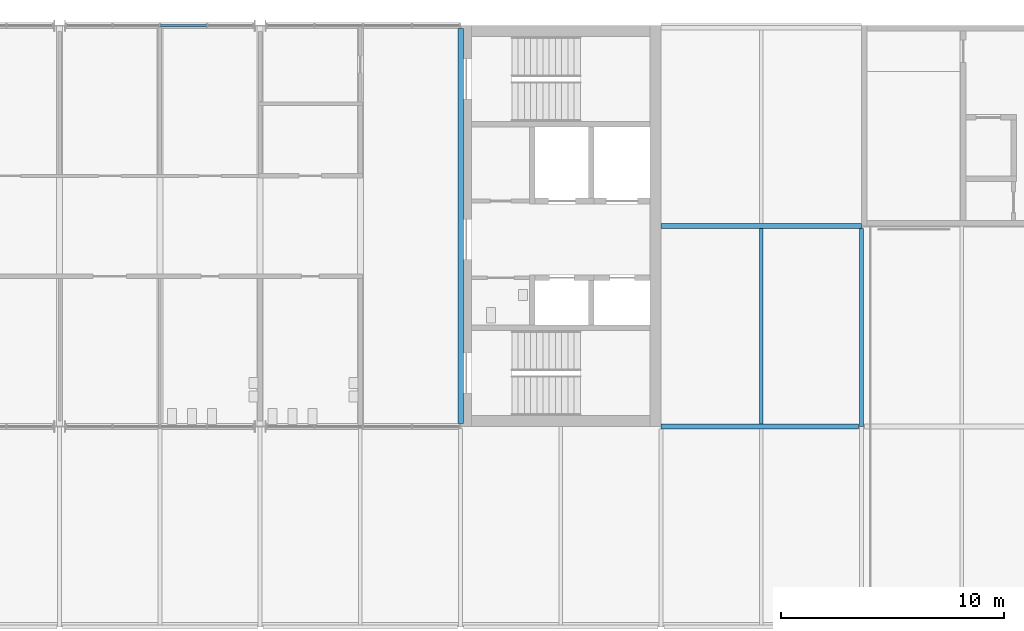
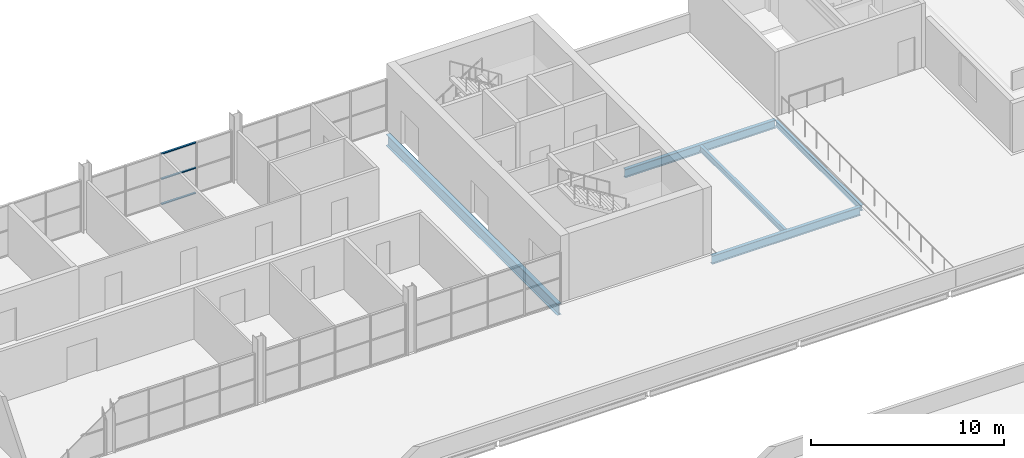
# One storey, part 17 of 50: 5 beams, 3 members, 1 element without a shape of its own.
"""IFC4 building model written with IfcOpenShell, lengths in metres."""

import ifcopenshell
import ifcopenshell.guid

model = None  # the IFC model being written
_history = None  # IfcOwnerHistory: only IFC2X3 demands one
_inside = {}  # id of a spatial element -> (the spatial element, [elements in it])
_under = {}  # id of a project, library or spatial element -> (it, [spatial elements below it])
_declared = {}  # id of a project -> (the project, [libraries it declares])
_typed = {}  # id of a type object -> (the type object, [elements of that type])
_made_of = {}  # id of a material, layer set ... -> (it, [elements and type objects made of it])


def new_model(schema):
    """Start an empty IFC model of exactly this schema.

    Asked for "IFC4X3", IfcOpenShell would pick the latest addendum, in which some entities
    have other attributes; the version numbers below select the first issue.
    IFC2X3 requires an IfcOwnerHistory on every rooted entity: one is made here for all.
    """
    global model, _history
    if schema == "IFC4X3":
        model = ifcopenshell.file(schema_version=(4, 3, 0, 0))
    else:
        model = ifcopenshell.file(schema=schema)
    _inside.clear()
    _under.clear()
    _declared.clear()
    _typed.clear()
    _made_of.clear()
    _history = None
    if model.schema == "IFC2X3":
        org = make("IfcOrganization", Name="unknown")
        user = make(
            "IfcPersonAndOrganization",
            ThePerson=make("IfcPerson", FamilyName="unknown"),
            TheOrganization=org,
        )
        app = make(
            "IfcApplication",
            ApplicationDeveloper=org,
            Version="unknown",
            ApplicationFullName="unknown",
            ApplicationIdentifier="unknown",
        )
        _history = make(
            "IfcOwnerHistory",
            OwningUser=user,
            OwningApplication=app,
            ChangeAction="ADDED",
            CreationDate=0,
        )
    return model


def make(cls, **values):
    """One entity of the class cls with the attributes given. An attribute that is None is left unset."""
    return model.create_entity(
        cls, **{name: value for name, value in values.items() if value is not None}
    )


def rooted(cls, **values):
    """An entity with a GlobalId (a new one), such as an element, a storey or a relation."""
    return make(cls, GlobalId=ifcopenshell.guid.new(), OwnerHistory=_history, **values)


def si_unit(unit_type, name, prefix=None):
    """IfcSIUnit, for example si_unit("LENGTHUNIT", "METRE", prefix="MILLI")."""
    return make("IfcSIUnit", UnitType=unit_type, Prefix=prefix, Name=name)


def assignment(units):
    """IfcUnitAssignment: the units of a project."""
    return None if units is None else make("IfcUnitAssignment", Units=units)


def point(xyz):
    """IfcCartesianPoint."""
    return None if xyz is None else make("IfcCartesianPoint", Coordinates=xyz)


def direction(xyz):
    """IfcDirection."""
    return None if xyz is None else make("IfcDirection", DirectionRatios=xyz)


def frame(location, z_axis=None, x_axis=None):
    """IfcAxis2Placement3D, a coordinate frame: its origin and axes. An axis left out is left unset."""
    return make(
        "IfcAxis2Placement3D",
        Location=point(location),
        Axis=direction(z_axis),
        RefDirection=direction(x_axis),
    )


def frame_2d(location, x_axis=None):
    """IfcAxis2Placement2D, a coordinate frame in the plane: its origin and x axis."""
    return make(
        "IfcAxis2Placement2D", Location=point(location), RefDirection=direction(x_axis)
    )


def origin():
    """The frame at (0, 0, 0) with its axes left unset."""
    return frame((0.0, 0.0, 0.0))


def origin_2d():
    """The frame at (0, 0) in the plane with its x axis left unset."""
    return frame_2d((0.0, 0.0))


def place(relative_to, where):
    """IfcLocalPlacement: puts the frame where relative to a parent placement (None: the world)."""
    return make(
        "IfcLocalPlacement", PlacementRelTo=relative_to, RelativePlacement=where
    )


def context(
    kind, dimensions, precision=None, world=None, true_north=None, identifier=None
):
    """IfcGeometricRepresentationContext, for example the 3D "Model" context."""
    return make(
        "IfcGeometricRepresentationContext",
        ContextIdentifier=identifier,
        ContextType=kind,
        CoordinateSpaceDimension=dimensions,
        Precision=precision,
        WorldCoordinateSystem=world,
        TrueNorth=true_north,
    )


def subcontext(parent, identifier, kind, view, scale=None):
    """IfcGeometricRepresentationSubContext, for example "Body" below "Model"."""
    return make(
        "IfcGeometricRepresentationSubContext",
        ContextIdentifier=identifier,
        ContextType=kind,
        ParentContext=parent,
        TargetScale=scale,
        TargetView=view,
    )


def project(units=None, contexts=None):
    """IfcProject with its units and contexts."""
    return rooted(
        "IfcProject",
        Name="project",
        RepresentationContexts=contexts,
        UnitsInContext=assignment(units),
    )


def spatial(cls, under=None, at=None, **own):
    """A site, building, storey or space (cls), placed at a placement, below another one or the project."""
    s = rooted(cls, ObjectPlacement=at, **own)
    if under is not None:
        _under.setdefault(under.id(), (under, []))[1].append(s)
    return s


def profile(cls, at=None, kind="AREA", **sizes):
    """A parametric profile (cls). Its sizes go by their IFC names, for example OverallWidth=200.0."""
    return make(cls, ProfileType=kind, Position=at, **sizes)


def rectangle(**sizes):
    """IfcRectangleProfileDef."""
    return profile("IfcRectangleProfileDef", **sizes)


def i_section(**sizes):
    """IfcIShapeProfileDef."""
    return profile("IfcIShapeProfileDef", **sizes)


def extrude(swept, where, along, depth):
    """IfcExtrudedAreaSolid: the profile swept, set in the frame where, extruded along a direction by depth."""
    return make(
        "IfcExtrudedAreaSolid",
        SweptArea=swept,
        Position=where,
        ExtrudedDirection=direction(along),
        Depth=depth,
    )


def shape(context_of_items, identifier, shape_type, items):
    """IfcShapeRepresentation: the items that make up one representation, for example the "Body"."""
    return make(
        "IfcShapeRepresentation",
        ContextOfItems=context_of_items,
        RepresentationIdentifier=identifier,
        RepresentationType=shape_type,
        Items=items,
    )


def material(Name=None, Category=None):
    """IfcMaterial."""
    return make("IfcMaterial", Name=Name, Category=Category)


def layer(
    of_material, thickness, ventilated=None, Name=None, Category=None, Priority=None
):
    """IfcMaterialLayer: one layer of a wall or slab, of a material (None: an air gap)."""
    return make(
        "IfcMaterialLayer",
        Material=of_material,
        LayerThickness=thickness,
        IsVentilated=ventilated,
        Name=Name,
        Category=Category,
        Priority=Priority,
    )


def layer_set(layers, Name=None):
    """IfcMaterialLayerSet."""
    return make("IfcMaterialLayerSet", MaterialLayers=layers, LayerSetName=Name)


def material_profile(
    of_material, cross_section, Name=None, Category=None, Priority=None
):
    """IfcMaterialProfile: a cross section and its material."""
    return make(
        "IfcMaterialProfile",
        Name=Name,
        Material=of_material,
        Profile=cross_section,
        Priority=Priority,
        Category=Category,
    )


def profile_set(profiles, Name=None, composite=None):
    """IfcMaterialProfileSet."""
    return make(
        "IfcMaterialProfileSet",
        Name=Name,
        MaterialProfiles=profiles,
        CompositeProfile=composite,
    )


def made_of(thing, what):
    """Note that an element or type object is made of a material, layer set ...; save() writes the relation."""
    if what is not None:
        _made_of.setdefault(what.id(), (what, []))[1].append(thing)
    return thing


def type_object(cls, material=None, **own):
    """A type object (cls), such as IfcWallType, which elements share."""
    return made_of(rooted(cls, **own), material)


def element(
    cls,
    number,
    at=None,
    inside=None,
    cuts=None,
    type_object=None,
    material=None,
    context=None,
    identifier="Body",
    shape_type=None,
    held_by="IfcProductDefinitionShape",
    body=None,
    shapes=None,
    **own,
):
    """One element of the class cls, such as IfcWall. Its Tag is "e" and its number.

    at: its placement. inside: the storey or other place that contains it. cuts: it is an
    opening in that element (IfcRelVoidsElement). A single representation is given by context,
    identifier, shape_type and body (its items); several are given by shapes. held_by: the class
    of the entity that holds the representations. save() writes the other relations.
    """
    e = rooted(cls, Tag="e%d" % number, ObjectPlacement=at, **own)
    if body is not None:
        shapes = [shape(context, identifier, shape_type, body)]
    if shapes is not None:
        e.Representation = make(held_by, Representations=shapes)
    if inside is not None:
        _inside.setdefault(inside.id(), (inside, []))[1].append(e)
    if cuts is not None:
        rooted(
            "IfcRelVoidsElement", RelatingBuildingElement=cuts, RelatedOpeningElement=e
        )
    if type_object is not None:
        _typed.setdefault(type_object.id(), (type_object, []))[1].append(e)
    return made_of(e, material)


def aggregate(whole, parts):
    """IfcRelAggregates: a whole, such as a stair, and the parts it consists of."""
    return rooted("IfcRelAggregates", RelatingObject=whole, RelatedObjects=parts)


def save(model, path):
    """Write the relations noted so far, then the file.

    IfcRelAggregates (storeys below a building ...), IfcRelContainedInSpatialStructure (elements
    in a storey), IfcRelDefinesByType, IfcRelAssociatesMaterial and IfcRelDeclares: one each for
    every whole, place, type object, material and project.
    """
    for whole, parts in _under.values():
        aggregate(whole, parts)
    for where, things in _inside.values():
        rooted(
            "IfcRelContainedInSpatialStructure",
            RelatedElements=things,
            RelatingStructure=where,
        )
    for kind, things in _typed.values():
        rooted("IfcRelDefinesByType", RelatedObjects=things, RelatingType=kind)
    for what, things in _made_of.values():
        rooted("IfcRelAssociatesMaterial", RelatedObjects=things, RelatingMaterial=what)
    for by, libraries in _declared.values():
        rooted("IfcRelDeclares", RelatingContext=by, RelatedDefinitions=libraries)
    model.write(path)


model = new_model("IFC4")

# Units and contexts
model_context = context("Model", 3, precision=1e-05, world=origin(), true_north=direction((0.0, 1.0)))
body_context = subcontext(model_context, "Body", "Model", "MODEL_VIEW")
ifc_project = project(units=[si_unit("LENGTHUNIT", "METRE"), si_unit("AREAUNIT", "SQUARE_METRE"), si_unit("VOLUMEUNIT", "CUBIC_METRE"), si_unit("PLANEANGLEUNIT", "RADIAN"), si_unit("MASSUNIT", "GRAM", prefix="KILO")], contexts=[model_context])

# Site, building, storey
site_placement = place(None, origin())
site = spatial("IfcSite", under=ifc_project, at=site_placement, CompositionType="ELEMENT")
building_placement = place(site_placement, origin())
building = spatial("IfcBuilding", under=site, at=building_placement, Name="Corbel Yard City Hall", CompositionType="ELEMENT")
storey_placement = place(building_placement, frame((0.0, 0.0, 15.0)))
storey = spatial("IfcBuildingStorey", under=building, at=storey_placement, Name="L03", CompositionType="ELEMENT", Elevation=15.0)

# Beams
ifc_material_1 = material(Name="Steel Grade 300 (300 MPa yield)", Category="steel")
ifc_material_profile_1 = material_profile(ifc_material_1, i_section(OverallWidth=0.1708984375, OverallDepth=0.35205078125, WebThickness=0.0068359375, FlangeThickness=0.009765625, at=origin_2d()), Name="360UB44.7")
ifc_profile_set_1 = profile_set([ifc_material_profile_1], Name="Steel Grade 300 (300 MPa yield)")
beam_type_1 = type_object("IfcBeamType", Name="Beam 360UB44.7", PredefinedType="BEAM", material=ifc_profile_set_1)
beam_1_placement = place(storey_placement, frame((63.0, 99.00537109375, -0.325927734375), z_axis=(0.0, 1.0, 0.0), x_axis=(-1.0, 0.0, 0.0)))
element("IfcBeam", 1, at=beam_1_placement, inside=storey, type_object=beam_type_1, Name="Beam 360UB44.7 SB13 L03roof", PredefinedType="BEAM", context=body_context, shape_type="SweptSolid", body=[
    extrude(i_section(OverallWidth=0.1708984375, OverallDepth=0.35205078125, WebThickness=0.0068359375, FlangeThickness=0.009765625, at=origin_2d()), origin(), (0.0, 0.0, 1.0), 8.89013671875),
])
ifc_material_profile_2 = material_profile(ifc_material_1, i_section(OverallWidth=0.208984375, OverallDepth=0.528076171875, WebThickness=0.009521484375, FlangeThickness=0.01318359375, at=origin_2d()), Name="530UB82.0")
ifc_profile_set_2 = profile_set([ifc_material_profile_2], Name="Steel Grade 300 (300 MPa yield)")
beam_type_2 = type_object("IfcBeamType", Name="Girder 530UB82.0", PredefinedType="BEAM", material=ifc_profile_set_2)
beam_2_placement = place(storey_placement, frame((54.0, 99.0, -0.4140625), z_axis=(1.0, 0.0, 0.0), x_axis=(0.0, 1.0, 0.0)))
element("IfcBeam", 2, at=beam_2_placement, inside=storey, type_object=beam_type_2, Name="Girder 530UB82.0 GB3 L03roof", PredefinedType="BEAM", context=body_context, shape_type="SweptSolid", body=[
    extrude(i_section(OverallWidth=0.208984375, OverallDepth=0.528076171875, WebThickness=0.009521484375, FlangeThickness=0.01318359375, at=origin_2d()), origin(), (0.0, 0.0, 1.0), 8.8701171875),
])
beam_3_placement = place(storey_placement, frame((54.0, 108.0, -0.4140625), z_axis=(1.0, 0.0, 0.0), x_axis=(0.0, 1.0, 0.0)))
element("IfcBeam", 3, at=beam_3_placement, inside=storey, type_object=beam_type_2, Name="Girder 530UB82.0 GB3 L03roof", PredefinedType="BEAM", context=body_context, shape_type="SweptSolid", body=[
    extrude(i_section(OverallWidth=0.208984375, OverallDepth=0.528076171875, WebThickness=0.009521484375, FlangeThickness=0.01318359375, at=origin_2d()), origin(), (0.0, 0.0, 1.0), 9.0),
])
ifc_material_2 = material(Name="Steel Grade 350", Category="steel")
ifc_material_profile_3 = material_profile(ifc_material_2, i_section(OverallWidth=0.25, OverallDepth=0.7099609375, WebThickness=0.010009765625, FlangeThickness=0.02490234375, at=origin_2d()), Name="700WB150")
ifc_profile_set_3 = profile_set([ifc_material_profile_3], Name="Steel Grade 350")
beam_type_3 = type_object("IfcBeamType", Name="Long-span edge beam 700WB150", PredefinedType="BEAM", material=ifc_profile_set_3)
beam_4_placement = place(storey_placement, frame((45.0, 99.137451171875, -0.5048828125), z_axis=(0.0, 1.0, 0.0), x_axis=(-1.0, 0.0, 0.0)))
element("IfcBeam", 4, at=beam_4_placement, inside=storey, type_object=beam_type_3, Name="Long-span edge beam 700WB150 EB8 L03tower", PredefinedType="BEAM", context=body_context, shape_type="SweptSolid", body=[
    extrude(i_section(OverallWidth=0.25, OverallDepth=0.7099609375, WebThickness=0.010009765625, FlangeThickness=0.02490234375, at=origin_2d()), origin(), (0.0, 0.0, 1.0), 17.72509765625),
])
ifc_material_profile_4 = material_profile(ifc_material_1, i_section(OverallWidth=0.1708984375, OverallDepth=0.35205078125, WebThickness=0.0068359375, FlangeThickness=0.009765625, at=origin_2d()), Name="360UB44.7")
ifc_profile_set_4 = profile_set([ifc_material_profile_4], Name="Steel Grade 300 (300 MPa yield)")
beam_type_4 = type_object("IfcBeamType", Name="Secondary beam 360UB44.7", PredefinedType="JOIST", material=ifc_profile_set_4)
beam_5_placement = place(storey_placement, frame((58.5, 99.1044921875, -0.325927734375), z_axis=(0.0, 1.0, 0.0), x_axis=(-1.0, 0.0, 0.0)))
element("IfcBeam", 5, at=beam_5_placement, inside=storey, type_object=beam_type_4, Name="Secondary beam 360UB44.7 SB11 L03roof", PredefinedType="JOIST", context=body_context, shape_type="SweptSolid", body=[
    extrude(i_section(OverallWidth=0.1708984375, OverallDepth=0.35205078125, WebThickness=0.0068359375, FlangeThickness=0.009765625, at=origin_2d()), origin(), (0.0, 0.0, 1.0), 8.791015625),
])

# Curtain wall, members
ifc_material_3 = material(Name="Aluminium extrusion", Category="aluminium")
ifc_layer = layer(ifc_material_3, 0.14990234375)
ifc_layer_set = layer_set([ifc_layer], Name="Aluminium extrusion")
curtain_wall_type = type_object("IfcCurtainWallType", Name="CW2", PredefinedType="USERDEFINED", material=ifc_layer_set)
curtain_wall_placement = place(storey_placement, origin())
curtain_wall = element("IfcCurtainWall", 6, at=curtain_wall_placement, inside=storey, type_object=curtain_wall_type, Name="Curtain wall CW2 L03", ObjectType="CURTAIN WALL", PredefinedType="USERDEFINED")
ifc_material_profile_5 = material_profile(ifc_material_3, rectangle(XDim=0.1201171875, YDim=0.06494140625, at=origin_2d()), Name="120x65")
ifc_profile_set_5 = profile_set([ifc_material_profile_5], Name="Aluminium extrusion")
member_type = type_object("IfcMemberType", Name="TR2", PredefinedType="USERDEFINED", material=ifc_profile_set_5)
member_1_placement = place(storey_placement, frame((31.532470703125, 117.0, 0.032470703125), z_axis=(1.0, 0.0, 0.0), x_axis=(0.0, 1.0, 0.0)))
member_1 = element("IfcMember", 7, at=member_1_placement, type_object=member_type, Name="CW2 transom 3.1", ObjectType="TRANSOM", PredefinedType="USERDEFINED", context=body_context, shape_type="SweptSolid", body=[
    extrude(rectangle(XDim=0.1201171875, YDim=0.06494140625, at=origin_2d()), origin(), (0.0, 0.0, 1.0), 2.056640625),
])
member_2_placement = place(storey_placement, frame((31.532470703125, 117.0, 1.6201171875), z_axis=(1.0, 0.0, 0.0), x_axis=(0.0, 1.0, 0.0)))
member_2 = element("IfcMember", 8, at=member_2_placement, type_object=member_type, Name="CW2 transom 3.2", ObjectType="TRANSOM", PredefinedType="USERDEFINED", context=body_context, shape_type="SweptSolid", body=[
    extrude(rectangle(XDim=0.1201171875, YDim=0.06494140625, at=origin_2d()), origin(), (0.0, 0.0, 1.0), 2.056640625),
])
member_3_placement = place(storey_placement, frame((31.532470703125, 117.0, 3.20751953125), z_axis=(1.0, 0.0, 0.0), x_axis=(0.0, 1.0, 0.0)))
member_3 = element("IfcMember", 9, at=member_3_placement, type_object=member_type, Name="CW2 transom 3.3", ObjectType="TRANSOM", PredefinedType="USERDEFINED", context=body_context, shape_type="SweptSolid", body=[
    extrude(rectangle(XDim=0.1201171875, YDim=0.06494140625, at=origin_2d()), origin(), (0.0, 0.0, 1.0), 2.056640625),
])
aggregate(curtain_wall, [member_1, member_2, member_3])

save(model, "model.ifc")
